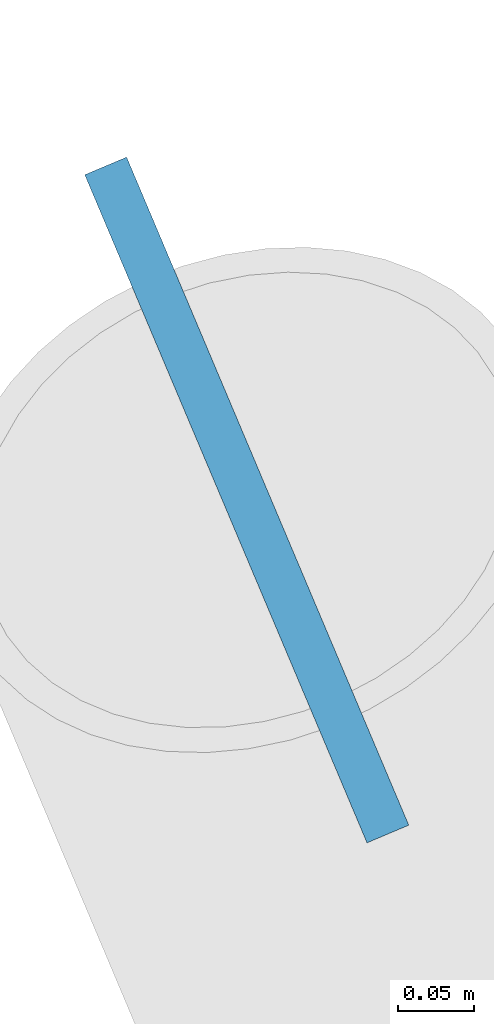
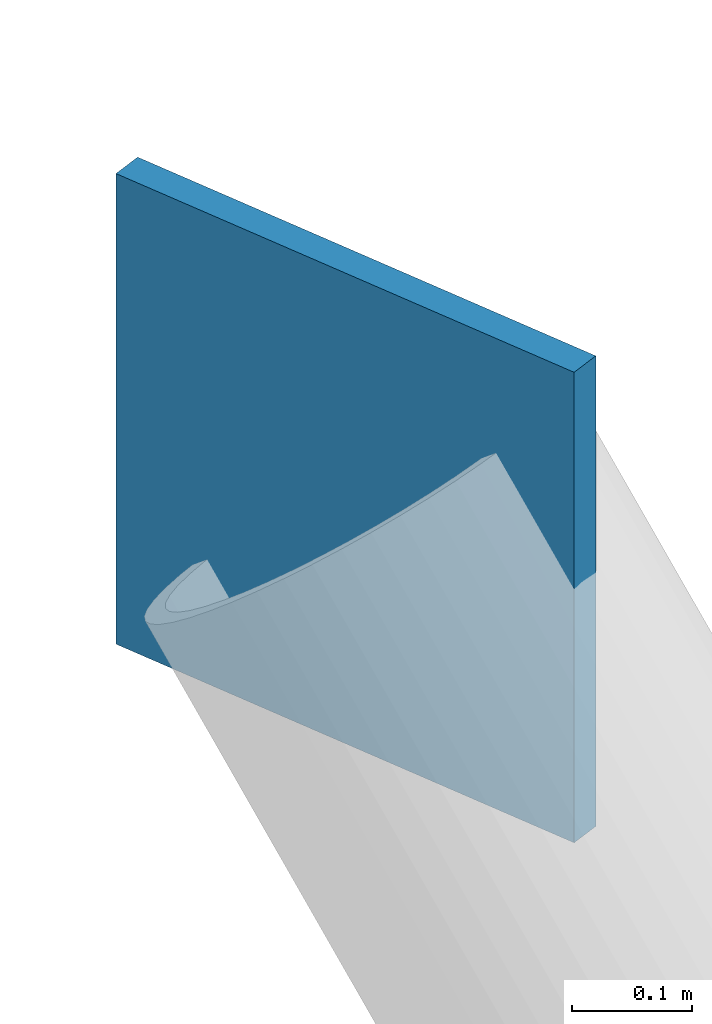
# One storey, part 4 of 13: 1 plate.
"""IFC4 building model written with IfcOpenShell, lengths in metres."""

from ifc_helpers import new_model, si_unit, direction, frame, origin, origin_2d, place, context, subcontext, project, spatial, rectangle, extrude, material, layer, layer_set, type_object, element, save


model = new_model("IFC4")

# Units and contexts
model_context = context("Model", 3, precision=1e-05, world=origin(), true_north=direction((0.0, 1.0)))
body_context = subcontext(model_context, "Body", "Model", "MODEL_VIEW")
ifc_project = project(units=[si_unit("LENGTHUNIT", "METRE"), si_unit("AREAUNIT", "SQUARE_METRE"), si_unit("VOLUMEUNIT", "CUBIC_METRE"), si_unit("PLANEANGLEUNIT", "RADIAN"), si_unit("MASSUNIT", "GRAM", prefix="KILO")], contexts=[model_context])

# Site, building, storey
site_placement = place(None, origin())
site = spatial("IfcSite", under=ifc_project, at=site_placement, CompositionType="ELEMENT")
building_placement = place(site_placement, origin())
building = spatial("IfcBuilding", under=site, at=building_placement, Name="Kranthara Brick Stack", CompositionType="ELEMENT")
storey_placement = place(building_placement, frame((0.0, 0.0, 179.800048828125)))
storey = spatial("IfcBuildingStorey", under=building, at=storey_placement, Name="L46", CompositionType="ELEMENT", Elevation=179.800048828125)

# Plate
ifc_material = material(Name="Steel S355", Category="steel")
ifc_layer = layer(ifc_material, 0.030029296875)
ifc_layer_set = layer_set([ifc_layer], Name="Steel S355")
plate_type = type_object("IfcPlateType", Name="PLT-GUSSET-30", PredefinedType="USERDEFINED", material=ifc_layer_set)
plate_placement = place(storey_placement, frame((9.300048828125, 52.39990234375, 2.510009765625), z_axis=(0.0, 0.0, 1.0), x_axis=(-0.38912395014, 0.921185405566, 0.0)))
element("IfcPlate", 1, at=plate_placement, inside=storey, type_object=plate_type, Name="L46 Brace and Strut End Connection Gusset Plate 082", ObjectType="GUSSET PLATE", PredefinedType="USERDEFINED", context=body_context, shape_type="SweptSolid", body=[
    extrude(rectangle(XDim=0.47998046875, YDim=0.030029296875, at=origin_2d()), origin(), (0.0, 0.0, 1.0), 0.47998046875),
])

save(model, "model.ifc")
